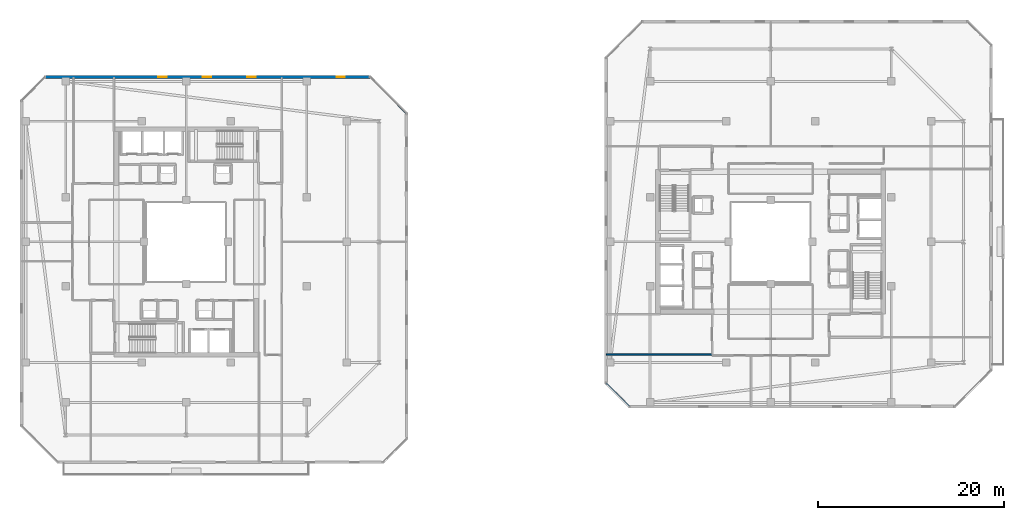
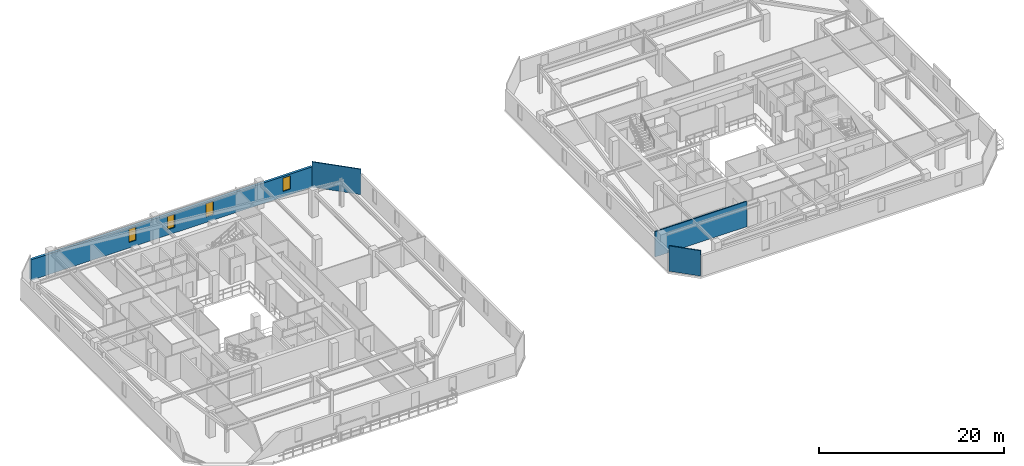
# One storey, part 24 of 34: 4 walls, 4 windows, 4 openings.
"""IFC4 building model written with IfcOpenShell, lengths in metres."""

from ifc_helpers import new_model, si_unit, direction, frame, frame_2d, origin, place, context, subcontext, project, spatial, rectangle, extrude, material, layer, layer_set, type_object, element, fill, save


model = new_model("IFC4")

# Units and contexts
model_context = context("Model", 3, precision=1e-05, world=origin(), true_north=direction((0.0, 1.0)))
body_context = subcontext(model_context, "Body", "Model", "MODEL_VIEW")
ifc_project = project(units=[si_unit("LENGTHUNIT", "METRE"), si_unit("AREAUNIT", "SQUARE_METRE"), si_unit("VOLUMEUNIT", "CUBIC_METRE"), si_unit("PLANEANGLEUNIT", "RADIAN"), si_unit("MASSUNIT", "GRAM", prefix="KILO")], contexts=[model_context])

# Site, building, storey
site_placement = place(None, origin())
site = spatial("IfcSite", under=ifc_project, at=site_placement, CompositionType="ELEMENT")
building_placement = place(site_placement, origin())
building = spatial("IfcBuilding", under=site, at=building_placement, Name="Thornwick Lancets Civic Towers", CompositionType="ELEMENT")
storey_placement = place(building_placement, frame((0.0, 0.0, 258.300048828125)))
storey = spatial("IfcBuildingStorey", under=building, at=storey_placement, Name="L69", CompositionType="ELEMENT", Elevation=258.300048828125)

# Wall, openings, windows
ifc_material_1 = material(Name="Insulated russet terracotta rainscreen on concrete C40/50", Category="masonry")
ifc_layer_1 = layer(ifc_material_1, 0.300048828125, Name="Insulated russet terracotta rainscreen on concrete C40/50")
ifc_layer_set_1 = layer_set([ifc_layer_1], Name="Insulated russet terracotta rainscreen on concrete C40/50")
wall_type_1 = type_object("IfcWallType", Name="WALL_EXT_RUSSET_300", PredefinedType="STANDARD", material=ifc_layer_set_1)
wall_1_placement = place(storey_placement, frame((45.3017578125, 44.760009765625, 0.0), z_axis=(0.0, 0.0, 1.0), x_axis=(-0.999999991209, 0.000132597301, 0.0)))
wall_1 = element("IfcWall", 1, at=wall_1_placement, inside=storey, type_object=wall_type_1, Name="L69 Tower A Terracotta Facade Wall E4", PredefinedType="STANDARD", context=body_context, shape_type="SweptSolid", body=[
    extrude(rectangle(XDim=34.983154296875, YDim=0.300048828125, at=frame_2d((17.49169921875, 0.0))), origin(), (0.0, 0.0, 1.0), 2.699951171875),
])
opening_1_placement = place(wall_1_placement, frame((2.699951171875, 0.0, 0.719970703125)))
opening_1 = element("IfcOpeningElement", 2, at=opening_1_placement, cuts=wall_1, Name="Opening WL-01", PredefinedType="OPENING", context=body_context, shape_type="SweptSolid", body=[
    extrude(rectangle(XDim=0.89990234375, YDim=1.75, at=frame_2d((0.449951171875, 0.875))), frame((0.0, 0.16015625, 0.0), z_axis=(0.0, -1.0, 0.0), x_axis=(1.0, 0.0, 0.0)), (0.0, 0.0, 1.0), 0.320068359375),
])
opening_2_placement = place(wall_1_placement, frame((12.300048828125, 0.0, 0.719970703125)))
opening_2 = element("IfcOpeningElement", 3, at=opening_2_placement, cuts=wall_1, Name="Opening WL-01", PredefinedType="OPENING", context=body_context, shape_type="SweptSolid", body=[
    extrude(rectangle(XDim=0.89990234375, YDim=1.75, at=frame_2d((0.449951171875, 0.875))), frame((0.0, 0.16015625, 0.0), z_axis=(0.0, -1.0, 0.0), x_axis=(1.0, 0.0, 0.0)), (0.0, 0.0, 1.0), 0.320068359375),
])
opening_3_placement = place(wall_1_placement, frame((17.10009765625, 0.0, 0.719970703125)))
opening_3 = element("IfcOpeningElement", 4, at=opening_3_placement, cuts=wall_1, Name="Opening WL-01", PredefinedType="OPENING", context=body_context, shape_type="SweptSolid", body=[
    extrude(rectangle(XDim=0.89990234375, YDim=1.75, at=frame_2d((0.449951171875, 0.875))), frame((0.0, 0.16015625, 0.0), z_axis=(0.0, -1.0, 0.0), x_axis=(1.0, 0.0, 0.0)), (0.0, 0.0, 1.0), 0.320068359375),
])
opening_4_placement = place(wall_1_placement, frame((21.89990234375, 0.0, 0.719970703125)))
opening_4 = element("IfcOpeningElement", 5, at=opening_4_placement, cuts=wall_1, Name="Opening WL-01", PredefinedType="OPENING", context=body_context, shape_type="SweptSolid", body=[
    extrude(rectangle(XDim=0.89990234375, YDim=1.75, at=frame_2d((0.449951171875, 0.875))), frame((0.0, 0.16015625, 0.0), z_axis=(0.0, -1.0, 0.0), x_axis=(1.0, 0.0, 0.0)), (0.0, 0.0, 1.0), 0.320068359375),
])
ifc_material_2 = material(Name="Clear low-e double glazing in bronze frame", Category="glass")
window_type = type_object("IfcWindowType", Name="WIN_LANCET_900", PartitioningType="SINGLE_PANEL", PredefinedType="WINDOW", material=ifc_material_2)
window_1_placement = place(opening_1_placement, origin())
window_1 = element("IfcWindow", 6, at=window_1_placement, inside=storey, type_object=window_type, Name="L69 Tower A Staggered Lancet Window E4-1", OverallHeight=1.75, OverallWidth=0.89990234375, PartitioningType="SINGLE_PANEL", PredefinedType="WINDOW", context=body_context, shape_type="SweptSolid", body=[
    extrude(rectangle(XDim=0.89990234375, YDim=1.75, at=frame_2d((0.449951171875, 0.875))), frame((0.0, 0.030029296875, 0.0), z_axis=(0.0, -1.0, 0.0), x_axis=(1.0, 0.0, 0.0)), (0.0, 0.0, 1.0), 0.06005859375),
])
fill(opening_1, window_1)
window_2_placement = place(opening_2_placement, origin())
window_2 = element("IfcWindow", 7, at=window_2_placement, inside=storey, type_object=window_type, Name="L69 Tower A Staggered Lancet Window E4-2", OverallHeight=1.75, OverallWidth=0.89990234375, PartitioningType="SINGLE_PANEL", PredefinedType="WINDOW", context=body_context, shape_type="SweptSolid", body=[
    extrude(rectangle(XDim=0.89990234375, YDim=1.75, at=frame_2d((0.449951171875, 0.875))), frame((0.0, 0.030029296875, 0.0), z_axis=(0.0, -1.0, 0.0), x_axis=(1.0, 0.0, 0.0)), (0.0, 0.0, 1.0), 0.06005859375),
])
fill(opening_2, window_2)
window_3_placement = place(opening_3_placement, origin())
window_3 = element("IfcWindow", 8, at=window_3_placement, inside=storey, type_object=window_type, Name="L69 Tower A Staggered Lancet Window E4-3", OverallHeight=1.75, OverallWidth=0.89990234375, PartitioningType="SINGLE_PANEL", PredefinedType="WINDOW", context=body_context, shape_type="SweptSolid", body=[
    extrude(rectangle(XDim=0.89990234375, YDim=1.75, at=frame_2d((0.449951171875, 0.875))), frame((0.0, 0.030029296875, 0.0), z_axis=(0.0, -1.0, 0.0), x_axis=(1.0, 0.0, 0.0)), (0.0, 0.0, 1.0), 0.06005859375),
])
fill(opening_3, window_3)
window_4_placement = place(opening_4_placement, origin())
window_4 = element("IfcWindow", 9, at=window_4_placement, inside=storey, type_object=window_type, Name="L69 Tower A Staggered Lancet Window E4-4", OverallHeight=1.75, OverallWidth=0.89990234375, PartitioningType="SINGLE_PANEL", PredefinedType="WINDOW", context=body_context, shape_type="SweptSolid", body=[
    extrude(rectangle(XDim=0.89990234375, YDim=1.75, at=frame_2d((0.449951171875, 0.875))), frame((0.0, 0.030029296875, 0.0), z_axis=(0.0, -1.0, 0.0), x_axis=(1.0, 0.0, 0.0)), (0.0, 0.0, 1.0), 0.06005859375),
])
fill(opening_4, window_4)

# Walls
ifc_material_3 = material(Name="Acoustic gypsum board partition")
ifc_layer_2 = layer(ifc_material_3, 0.1201171875, Name="Acoustic gypsum board partition")
ifc_layer_set_2 = layer_set([ifc_layer_2], Name="Acoustic gypsum board partition")
wall_type_2 = type_object("IfcWallType", Name="WALL_PART_120", PredefinedType="PARTITIONING", material=ifc_layer_set_2)
wall_2_placement = place(storey_placement, frame((45.34033203125, 44.719970703125, 0.0), z_axis=(0.0, 0.0, 1.0), x_axis=(0.707106781187, -0.707106781187, 0.0)))
element("IfcWall", 10, at=wall_2_placement, inside=storey, type_object=wall_type_2, Name="L69 Partition L69-A-E2 E4", PredefinedType="PARTITIONING", context=body_context, shape_type="SweptSolid", body=[
    extrude(rectangle(XDim=5.486572265625, YDim=0.1201171875, at=frame_2d((2.7431640625, 0.0))), origin(), (0.0, 0.0, 1.0), 3.33984375),
])
wall_3_placement = place(storey_placement, frame((73.274658203125, 9.280029296875, 0.0), z_axis=(0.0, 0.0, 1.0), x_axis=(-0.707106781187, 0.707106781187, 0.0)))
element("IfcWall", 11, at=wall_3_placement, inside=storey, type_object=wall_type_2, Name="L69 Partition L69-B-W2B E2", PredefinedType="PARTITIONING", context=body_context, shape_type="SweptSolid", body=[
    extrude(rectangle(XDim=3.52783203125, YDim=0.1201171875, at=frame_2d((1.763916015625, 0.0))), origin(), (0.0, 0.0, 1.0), 3.33984375),
])
ifc_material_4 = material(Name="Twin-stud acoustic gypsum board")
ifc_layer_3 = layer(ifc_material_4, 0.14990234375, Name="Twin-stud acoustic gypsum board")
ifc_layer_set_3 = layer_set([ifc_layer_3], Name="Twin-stud acoustic gypsum board")
wall_type_3 = type_object("IfcWallType", Name="WALL_PART_150", PredefinedType="PARTITIONING", material=ifc_layer_set_3)
wall_4_placement = place(storey_placement, frame((82.199951171875, 14.85009765625, 0.0), z_axis=(0.0, 0.0, 1.0), x_axis=(-1.0, 0.0, 0.0)))
element("IfcWall", 12, at=wall_4_placement, inside=storey, type_object=wall_type_3, Name="L69 Partition L69-B-RECLAIM-M1 E1", PredefinedType="PARTITIONING", context=body_context, shape_type="SweptSolid", body=[
    extrude(rectangle(XDim=11.419921875, YDim=0.14990234375, at=frame_2d((5.7099609375, 0.0))), origin(), (0.0, 0.0, 1.0), 3.33984375),
])

save(model, "model.ifc")
